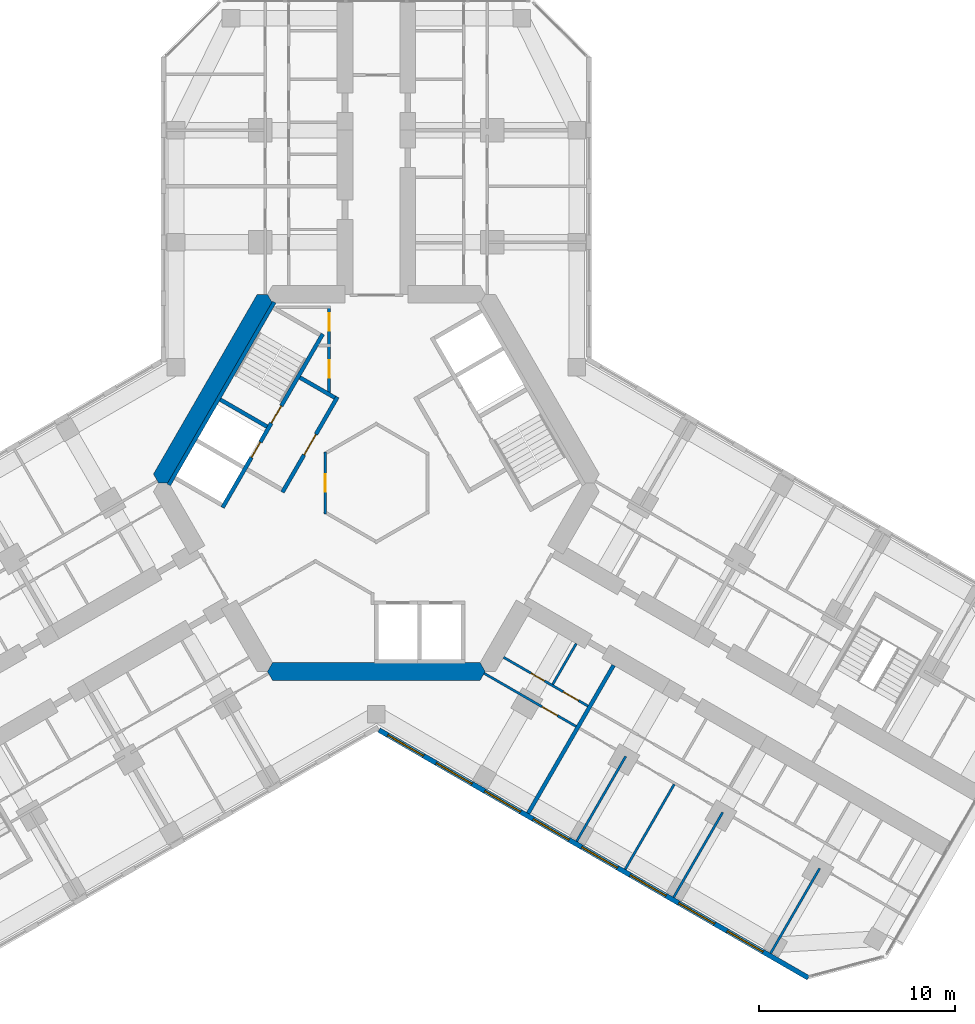
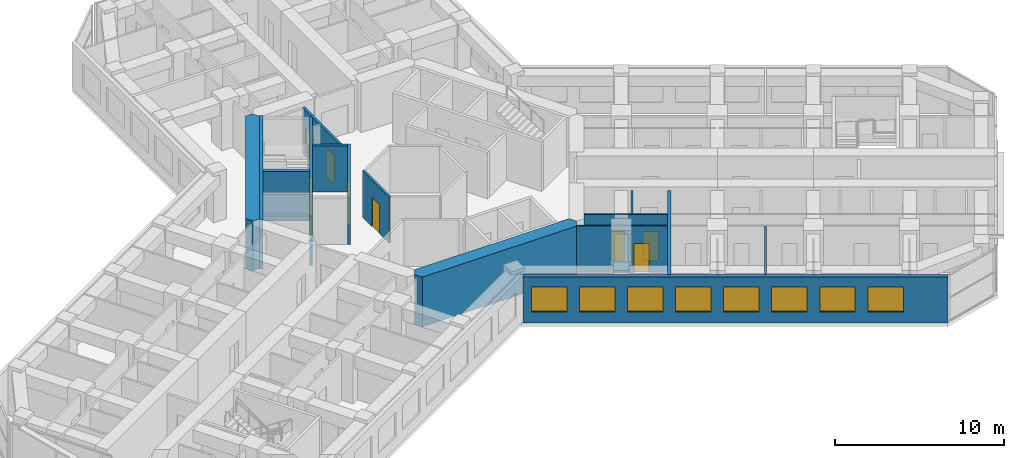
# One storey, part 13 of 19: 18 walls, 9 doors, 8 windows, 17 openings.
"""IFC4 building model written with IfcOpenShell, lengths in metres."""

from ifc_helpers import new_model, si_unit, direction, frame, frame_2d, origin, place, context, subcontext, project, spatial, polyline, rectangle, outline, extrude, material, layer, layer_set, type_object, element, fill, save


model = new_model("IFC4")

# Units and contexts
model_context = context("Model", 3, precision=1e-05, world=origin(), true_north=direction((0.0, 1.0)))
body_context = subcontext(model_context, "Body", "Model", "MODEL_VIEW")
ifc_project = project(units=[si_unit("LENGTHUNIT", "METRE"), si_unit("AREAUNIT", "SQUARE_METRE"), si_unit("VOLUMEUNIT", "CUBIC_METRE"), si_unit("PLANEANGLEUNIT", "RADIAN"), si_unit("MASSUNIT", "GRAM", prefix="KILO")], contexts=[model_context])

# Site, building, storey
site_placement = place(None, origin())
site = spatial("IfcSite", under=ifc_project, at=site_placement, CompositionType="ELEMENT")
building_placement = place(site_placement, origin())
building = spatial("IfcBuilding", under=site, at=building_placement, Name="Kosmar Iwan School Tower", CompositionType="ELEMENT")
storey_placement = place(building_placement, frame((0.0, 0.0, 165.199951171875)))
storey = spatial("IfcBuildingStorey", under=building, at=storey_placement, Name="L41", CompositionType="ELEMENT", Elevation=165.199951171875)

# Wall, openings, doors
ifc_material_1 = material(Name="Gypsum board on steel studs, fire-rated", Category="steel")
ifc_layer_1 = layer(ifc_material_1, 0.14990234375)
ifc_layer_set_1 = layer_set([ifc_layer_1], Name="Core room partition 150")
wall_type_1 = type_object("IfcWallType", Name="Core room partition 150", PredefinedType="PARTITIONING", material=ifc_layer_set_1)
wall_1_placement = place(storey_placement, frame((-2.39990234375, 9.014892578125, 0.0), z_axis=(0.0, 0.0, 1.0), x_axis=(0.0, -1.0, 0.0)))
wall_1 = element("IfcWall", 1, at=wall_1_placement, inside=storey, type_object=wall_type_1, Name="Core room partition L41-CW1", PredefinedType="PARTITIONING", context=body_context, shape_type="SweptSolid", body=[
    extrude(rectangle(XDim=4.484130859375, YDim=0.14990234375, at=frame_2d((2.2421875, 0.0))), origin(), (0.0, 0.0, 1.0), 3.35009765625),
])
opening_1_placement = place(wall_1_placement, frame((0.375, 0.0, 0.0)))
opening_1 = element("IfcOpeningElement", 2, at=opening_1_placement, cuts=wall_1, Name="Opening D14", PredefinedType="OPENING", context=body_context, shape_type="SweptSolid", body=[
    extrude(rectangle(XDim=0.89990234375, YDim=2.10009765625, at=frame_2d((0.449951171875, 1.050048828125))), frame((0.0, 0.0869140625, 0.0), z_axis=(0.0, -1.0, 0.0), x_axis=(1.0, 0.0, 0.0)), (0.0, 0.0, 1.0), 0.173828125),
])
opening_2_placement = place(wall_1_placement, frame((2.77490234375, 0.0, 0.0)))
opening_2 = element("IfcOpeningElement", 3, at=opening_2_placement, cuts=wall_1, Name="Opening D14", PredefinedType="OPENING", context=body_context, shape_type="SweptSolid", body=[
    extrude(rectangle(XDim=0.89990234375, YDim=2.10009765625, at=frame_2d((0.449951171875, 1.050048828125))), frame((0.0, 0.0869140625, 0.0), z_axis=(0.0, -1.0, 0.0), x_axis=(1.0, 0.0, 0.0)), (0.0, 0.0, 1.0), 0.173828125),
])
ifc_material_2 = material(Name="Timber fire door in steel frame", Category="steel")
door_type_1 = type_object("IfcDoorType", Name="Core room door 900x2100", OperationType="SINGLE_SWING_LEFT", PredefinedType="DOOR", material=ifc_material_2)
door_1_placement = place(opening_1_placement, origin())
door_1 = element("IfcDoor", 4, at=door_1_placement, inside=storey, type_object=door_type_1, Name="Electrical riser and switch room door L41 1", OperationType="SINGLE_SWING_LEFT", OverallHeight=2.10009765625, OverallWidth=0.89990234375, PredefinedType="DOOR", context=body_context, shape_type="SweptSolid", body=[
    extrude(rectangle(XDim=0.89990234375, YDim=2.10009765625, at=frame_2d((0.449951171875, 1.050048828125))), frame((0.0, 0.02490234375, 0.0), z_axis=(0.0, -1.0, 0.0), x_axis=(1.0, 0.0, 0.0)), (0.0, 0.0, 1.0), 0.050048828125),
])
fill(opening_1, door_1)
door_2_placement = place(opening_2_placement, origin())
door_2 = element("IfcDoor", 5, at=door_2_placement, inside=storey, type_object=door_type_1, Name="Plumbing and wet riser door L41 2", OperationType="SINGLE_SWING_RIGHT", OverallHeight=2.10009765625, OverallWidth=0.89990234375, PredefinedType="DOOR", context=body_context, shape_type="SweptSolid", body=[
    extrude(rectangle(XDim=0.89990234375, YDim=2.10009765625, at=frame_2d((0.449951171875, 1.050048828125))), frame((0.0, 0.02490234375, 0.0), z_axis=(0.0, -1.0, 0.0), x_axis=(1.0, 0.0, 0.0)), (0.0, 0.0, 1.0), 0.050048828125),
])
fill(opening_2, door_2)

# Wall, opening, door
wall_2_placement = place(storey_placement, frame((-2.60009765625, -1.576171875, 0.0), z_axis=(0.0, 0.0, 1.0), x_axis=(0.0, 1.0, 0.0)))
wall_2 = element("IfcWall", 6, at=wall_2_placement, inside=storey, type_object=wall_type_1, Name="Core room partition L41-CW10", PredefinedType="PARTITIONING", context=body_context, shape_type="SweptSolid", body=[
    extrude(rectangle(XDim=3.15234375, YDim=0.14990234375, at=frame_2d((1.576171875, 0.0))), origin(), (0.0, 0.0, 1.0), 3.35009765625),
])
opening_3_placement = place(wall_2_placement, frame((1.1259765625, 0.0, 0.0)))
opening_3 = element("IfcOpeningElement", 7, at=opening_3_placement, cuts=wall_2, Name="Opening D14", PredefinedType="OPENING", context=body_context, shape_type="SweptSolid", body=[
    extrude(rectangle(XDim=0.89990234375, YDim=2.10009765625, at=frame_2d((0.449951171875, 1.050048828125))), frame((0.0, 0.0869140625, 0.0), z_axis=(0.0, -1.0, 0.0), x_axis=(1.0, 0.0, 0.0)), (0.0, 0.0, 1.0), 0.173828125),
])
door_3_placement = place(opening_3_placement, origin())
door_3 = element("IfcDoor", 8, at=door_3_placement, inside=storey, type_object=door_type_1, Name="Pram and buggy store door L41 4", OperationType="SINGLE_SWING_RIGHT", OverallHeight=2.10009765625, OverallWidth=0.89990234375, PredefinedType="DOOR", context=body_context, shape_type="SweptSolid", body=[
    extrude(rectangle(XDim=0.89990234375, YDim=2.10009765625, at=frame_2d((0.449951171875, 1.050048828125))), frame((0.0, 0.02490234375, 0.0), z_axis=(0.0, -1.0, 0.0), x_axis=(1.0, 0.0, 0.0)), (0.0, 0.0, 1.0), 0.050048828125),
])
fill(opening_3, door_3)

# Walls
ifc_material_3 = material(Name="Concrete C50/60", Category="concrete")
ifc_layer_2 = layer(ifc_material_3, 0.89990234375)
ifc_layer_set_2 = layer_set([ifc_layer_2], Name="Core wall 900")
wall_type_2 = type_object("IfcWallType", Name="Core wall 900", PredefinedType="SHEAR", material=ifc_layer_set_2)
wall_3_placement = place(storey_placement, origin())
element("IfcWall", 9, at=wall_3_placement, inside=storey, type_object=wall_type_2, Name="Core wall F150", PredefinedType="SHEAR", context=body_context, shape_type="SweptSolid", body=[
    extrude(outline(polyline([(-11.085205078125, 0.0), (-10.5654296875, 0.0), (-5.28271484375, 9.14990234375), (-5.54248046875, 9.60009765625), (-6.062255859375, 9.60009765625), (-11.344970703125, 0.449951171875), (-11.085205078125, 0.0)])), origin(), (0.0, 0.0, 1.0), 3.60009765625),
])
wall_4_placement = place(storey_placement, origin())
element("IfcWall", 10, at=wall_4_placement, inside=storey, type_object=wall_type_2, Name="Core wall F270", PredefinedType="SHEAR", context=body_context, shape_type="SweptSolid", body=[
    extrude(outline(polyline([(-5.28271484375, -10.050048828125), (5.28271484375, -10.050048828125), (5.54248046875, -9.60009765625), (5.28271484375, -9.14990234375), (-5.28271484375, -9.14990234375), (-5.54248046875, -9.60009765625), (-5.28271484375, -10.050048828125)])), origin(), (0.0, 0.0, 1.0), 3.60009765625),
])

# Wall, openings, doors
ifc_material_4 = material(Name="Gypsum board on steel studs", Category="steel")
ifc_layer_3 = layer(ifc_material_4, 0.1201171875)
ifc_layer_set_3 = layer_set([ifc_layer_3], Name="Dwelling partition 120")
wall_type_3 = type_object("IfcWallType", Name="Dwelling partition 120", PredefinedType="PARTITIONING", material=ifc_layer_set_3)
wall_5_placement = place(storey_placement, frame((6.478515625, -8.87890625, 0.0), z_axis=(0.0, 0.0, 1.0), x_axis=(0.866040211805, -0.499974350878, 0.0)))
wall_5 = element("IfcWall", 11, at=wall_5_placement, inside=storey, type_object=wall_type_3, Name="Partition L41-CR1-W1", PredefinedType="PARTITIONING", context=body_context, shape_type="SweptSolid", body=[
    extrude(rectangle(XDim=4.949951171875, YDim=0.1201171875, at=frame_2d((2.47509765625, 0.0))), origin(), (0.0, 0.0, 1.0), 3.35009765625),
])
opening_4_placement = place(wall_5_placement, frame((1.60009765625, 0.0, 0.0)))
opening_4 = element("IfcOpeningElement", 12, at=opening_4_placement, cuts=wall_5, Name="Opening D3", PredefinedType="OPENING", context=body_context, shape_type="SweptSolid", body=[
    extrude(rectangle(XDim=0.800048828125, YDim=2.10009765625, at=frame_2d((0.39990234375, 1.050048828125))), frame((0.0, 0.072021484375, 0.0), z_axis=(0.0, -1.0, 0.0), x_axis=(1.0, 0.0, 0.0)), (0.0, 0.0, 1.0), 0.14404296875),
])
opening_5_placement = place(wall_5_placement, frame((3.5, 0.0, 0.0)))
opening_5 = element("IfcOpeningElement", 13, at=opening_5_placement, cuts=wall_5, Name="Opening D2", PredefinedType="OPENING", context=body_context, shape_type="SweptSolid", body=[
    extrude(rectangle(XDim=0.89990234375, YDim=2.10009765625, at=frame_2d((0.449951171875, 1.050048828125))), frame((0.0, 0.072021484375, 0.0), z_axis=(0.0, -1.0, 0.0), x_axis=(1.0, 0.0, 0.0)), (0.0, 0.0, 1.0), 0.14404296875),
])
ifc_material_5 = material(Name="Timber door in timber frame", Category="wood")
door_type_2 = type_object("IfcDoorType", Name="Internal door 900x2100", OperationType="SINGLE_SWING_LEFT", PredefinedType="DOOR", material=ifc_material_5)
door_4_placement = place(opening_5_placement, origin())
door_4 = element("IfcDoor", 14, at=door_4_placement, inside=storey, type_object=door_type_2, Name="Entrance hall door L41-CR1-S2", OperationType="SINGLE_SWING_RIGHT", OverallHeight=2.10009765625, OverallWidth=0.89990234375, PredefinedType="DOOR", context=body_context, shape_type="SweptSolid", body=[
    extrude(rectangle(XDim=0.89990234375, YDim=2.10009765625, at=frame_2d((0.449951171875, 1.050048828125))), frame((0.0, 0.02490234375, 0.0), z_axis=(0.0, -1.0, 0.0), x_axis=(1.0, 0.0, 0.0)), (0.0, 0.0, 1.0), 0.050048828125),
])
fill(opening_5, door_4)
ifc_material_6 = material(Name="Timber door in timber frame", Category="wood")
door_type_3 = type_object("IfcDoorType", Name="Sanitary room door 800x2100", OperationType="SINGLE_SWING_LEFT", PredefinedType="DOOR", material=ifc_material_6)
door_5_placement = place(opening_4_placement, origin())
door_5 = element("IfcDoor", 15, at=door_5_placement, inside=storey, type_object=door_type_3, Name="Bathroom door L41-CR1-S1", OperationType="SINGLE_SWING_RIGHT", OverallHeight=2.10009765625, OverallWidth=0.800048828125, PredefinedType="DOOR", context=body_context, shape_type="SweptSolid", body=[
    extrude(rectangle(XDim=0.800048828125, YDim=2.10009765625, at=frame_2d((0.39990234375, 1.050048828125))), frame((0.0, 0.02490234375, 0.0), z_axis=(0.0, -1.0, 0.0), x_axis=(1.0, 0.0, 0.0)), (0.0, 0.0, 1.0), 0.050048828125),
])
fill(opening_4, door_5)

# Wall, opening, door
wall_6_placement = place(storey_placement, frame((5.48876953125, -9.693115234375, 0.0), z_axis=(0.0, 0.0, 1.0), x_axis=(0.866028230842, -0.499995103361, 0.0)))
wall_6 = element("IfcWall", 16, at=wall_6_placement, inside=storey, type_object=wall_type_3, Name="Partition L41-CR1-W2", PredefinedType="PARTITIONING", context=body_context, shape_type="SweptSolid", body=[
    extrude(rectangle(XDim=5.39990234375, YDim=0.1201171875, at=frame_2d((2.699951171875, 0.0))), origin(), (0.0, 0.0, 1.0), 3.35009765625),
])
opening_6_placement = place(wall_6_placement, frame((3.39990234375, 0.0, 0.0)))
opening_6 = element("IfcOpeningElement", 17, at=opening_6_placement, cuts=wall_6, Name="Opening D2", PredefinedType="OPENING", context=body_context, shape_type="SweptSolid", body=[
    extrude(rectangle(XDim=0.89990234375, YDim=2.10009765625, at=frame_2d((0.449951171875, 1.050048828125))), frame((0.0, 0.072021484375, 0.0), z_axis=(0.0, -1.0, 0.0), x_axis=(1.0, 0.0, 0.0)), (0.0, 0.0, 1.0), 0.14404296875),
])
door_6_placement = place(opening_6_placement, origin())
door_6 = element("IfcDoor", 18, at=door_6_placement, inside=storey, type_object=door_type_2, Name="Studio living room and kitchen door L41-CR1-F1", OperationType="SINGLE_SWING_RIGHT", OverallHeight=2.10009765625, OverallWidth=0.89990234375, PredefinedType="DOOR", context=body_context, shape_type="SweptSolid", body=[
    extrude(rectangle(XDim=0.89990234375, YDim=2.10009765625, at=frame_2d((0.449951171875, 1.050048828125))), frame((0.0, 0.02490234375, 0.0), z_axis=(0.0, -1.0, 0.0), x_axis=(1.0, 0.0, 0.0)), (0.0, 0.0, 1.0), 0.050048828125),
])
fill(opening_6, door_6)

# Walls
wall_7_placement = place(storey_placement, frame((10.171630859375, -8.18212890625, 0.0), z_axis=(0.0, 0.0, 1.0), x_axis=(-0.499940577336, -0.866059708757, 0.0)))
element("IfcWall", 19, at=wall_7_placement, inside=storey, type_object=wall_type_3, Name="Partition L41-CR1-Y1", PredefinedType="PARTITIONING", context=body_context, shape_type="SweptSolid", body=[
    extrude(rectangle(XDim=2.389892578125, YDim=0.1201171875, at=frame_2d((1.19482421875, 0.0))), origin(), (0.0, 0.0, 1.0), 3.35009765625),
])
wall_8_placement = place(storey_placement, frame((12.690185546875, -13.919921875, 0.0), z_axis=(0.0, 0.0, 1.0), x_axis=(-0.500011847778, -0.866018563358, 0.0)))
element("IfcWall", 20, at=wall_8_placement, inside=storey, type_object=wall_type_3, Name="Partition L41-CR2-X1", PredefinedType="PARTITIONING", context=body_context, shape_type="SweptSolid", body=[
    extrude(rectangle(XDim=4.990234375, YDim=0.1201171875, at=frame_2d((2.4951171875, 0.0))), origin(), (0.0, 0.0, 1.0), 2.449951171875),
])
wall_9_placement = place(storey_placement, frame((15.158447265625, -15.344970703125, 0.0), z_axis=(0.0, 0.0, 1.0), x_axis=(-0.500011847778, -0.866018563358, 0.0)))
element("IfcWall", 21, at=wall_9_placement, inside=storey, type_object=wall_type_3, Name="Partition L41-CR2-X2", PredefinedType="PARTITIONING", context=body_context, shape_type="SweptSolid", body=[
    extrude(rectangle(XDim=4.990234375, YDim=0.1201171875, at=frame_2d((2.4951171875, 0.0))), origin(), (0.0, 0.0, 1.0), 3.35009765625),
])
wall_10_placement = place(storey_placement, frame((17.62646484375, -16.77001953125, 0.0), z_axis=(0.0, 0.0, 1.0), x_axis=(-0.499975153383, -0.86603974851, 0.0)))
element("IfcWall", 22, at=wall_10_placement, inside=storey, type_object=wall_type_3, Name="Partition L41-CR2-X3", PredefinedType="PARTITIONING", context=body_context, shape_type="SweptSolid", body=[
    extrude(rectangle(XDim=4.989990234375, YDim=0.1201171875, at=frame_2d((2.4951171875, 0.0))), origin(), (0.0, 0.0, 1.0), 2.449951171875),
])
wall_11_placement = place(storey_placement, frame((22.562744140625, -19.6201171875, 0.0), z_axis=(0.0, 0.0, 1.0), x_axis=(-0.499996339024, -0.86602751744, 0.0)))
element("IfcWall", 23, at=wall_11_placement, inside=storey, type_object=wall_type_3, Name="Partition L41-CR2-X4", PredefinedType="PARTITIONING", context=body_context, shape_type="SweptSolid", body=[
    extrude(rectangle(XDim=4.98974609375, YDim=0.1201171875, at=frame_2d((2.494873046875, 0.0))), origin(), (0.0, 0.0, 1.0), 2.449951171875),
])

# Wall, openings, windows
ifc_material_7 = material(Name="Black aluminium rainscreen on insulated framing", Category="aluminium")
ifc_layer_4 = layer(ifc_material_7, 0.25)
ifc_layer_set_4 = layer_set([ifc_layer_4], Name="External wall rainscreen 250")
wall_type_4 = type_object("IfcWallType", Name="External wall rainscreen 250", PredefinedType="SOLIDWALL", material=ifc_layer_set_4)
wall_12_placement = place(storey_placement, frame((0.137939453125, -12.5791015625, 0.0), z_axis=(0.0, 0.0, 1.0), x_axis=(0.866023775649, -0.500002820003, 0.0)))
wall_12 = element("IfcWall", 24, at=wall_12_placement, inside=storey, type_object=wall_type_4, Name="External wall CR L41", PredefinedType="SOLIDWALL", context=body_context, shape_type="SweptSolid", body=[
    extrude(rectangle(XDim=25.226318359375, YDim=0.25, at=frame_2d((12.61328125, 0.0))), origin(), (0.0, 0.0, 1.0), 3.35009765625),
])
opening_7_placement = place(wall_12_placement, frame((0.51611328125, 0.0, 0.800048828125)))
opening_7 = element("IfcOpeningElement", 25, at=opening_7_placement, cuts=wall_12, Name="Opening W4", PredefinedType="OPENING", context=body_context, shape_type="SweptSolid", body=[
    extrude(rectangle(XDim=2.10009765625, YDim=1.800048828125, at=frame_2d((1.050048828125, 0.89990234375))), frame((0.0, 0.136962890625, 0.0), z_axis=(0.0, -1.0, 0.0), x_axis=(1.0, 0.0, 0.0)), (0.0, 0.0, 1.0), 0.27392578125),
])
opening_8_placement = place(wall_12_placement, frame((3.365966796875, 0.0, 0.800048828125)))
opening_8 = element("IfcOpeningElement", 26, at=opening_8_placement, cuts=wall_12, Name="Opening W4", PredefinedType="OPENING", context=body_context, shape_type="SweptSolid", body=[
    extrude(rectangle(XDim=2.10009765625, YDim=1.800048828125, at=frame_2d((1.050048828125, 0.89990234375))), frame((0.0, 0.136962890625, 0.0), z_axis=(0.0, -1.0, 0.0), x_axis=(1.0, 0.0, 0.0)), (0.0, 0.0, 1.0), 0.27392578125),
])
opening_9_placement = place(wall_12_placement, frame((6.216064453125, 0.0, 0.800048828125)))
opening_9 = element("IfcOpeningElement", 27, at=opening_9_placement, cuts=wall_12, Name="Opening W4", PredefinedType="OPENING", context=body_context, shape_type="SweptSolid", body=[
    extrude(rectangle(XDim=2.10009765625, YDim=1.800048828125, at=frame_2d((1.050048828125, 0.89990234375))), frame((0.0, 0.136962890625, 0.0), z_axis=(0.0, -1.0, 0.0), x_axis=(1.0, 0.0, 0.0)), (0.0, 0.0, 1.0), 0.27392578125),
])
opening_10_placement = place(wall_12_placement, frame((9.06591796875, 0.0, 0.800048828125)))
opening_10 = element("IfcOpeningElement", 28, at=opening_10_placement, cuts=wall_12, Name="Opening W4", PredefinedType="OPENING", context=body_context, shape_type="SweptSolid", body=[
    extrude(rectangle(XDim=2.10009765625, YDim=1.800048828125, at=frame_2d((1.050048828125, 0.89990234375))), frame((0.0, 0.136962890625, 0.0), z_axis=(0.0, -1.0, 0.0), x_axis=(1.0, 0.0, 0.0)), (0.0, 0.0, 1.0), 0.27392578125),
])
opening_11_placement = place(wall_12_placement, frame((11.916015625, 0.0, 0.800048828125)))
opening_11 = element("IfcOpeningElement", 29, at=opening_11_placement, cuts=wall_12, Name="Opening W4", PredefinedType="OPENING", context=body_context, shape_type="SweptSolid", body=[
    extrude(rectangle(XDim=2.10009765625, YDim=1.800048828125, at=frame_2d((1.050048828125, 0.89990234375))), frame((0.0, 0.136962890625, 0.0), z_axis=(0.0, -1.0, 0.0), x_axis=(1.0, 0.0, 0.0)), (0.0, 0.0, 1.0), 0.27392578125),
])
opening_12_placement = place(wall_12_placement, frame((14.76611328125, 0.0, 0.800048828125)))
opening_12 = element("IfcOpeningElement", 30, at=opening_12_placement, cuts=wall_12, Name="Opening W4", PredefinedType="OPENING", context=body_context, shape_type="SweptSolid", body=[
    extrude(rectangle(XDim=2.10009765625, YDim=1.800048828125, at=frame_2d((1.050048828125, 0.89990234375))), frame((0.0, 0.136962890625, 0.0), z_axis=(0.0, -1.0, 0.0), x_axis=(1.0, 0.0, 0.0)), (0.0, 0.0, 1.0), 0.27392578125),
])
opening_13_placement = place(wall_12_placement, frame((17.615966796875, 0.0, 0.800048828125)))
opening_13 = element("IfcOpeningElement", 31, at=opening_13_placement, cuts=wall_12, Name="Opening W4", PredefinedType="OPENING", context=body_context, shape_type="SweptSolid", body=[
    extrude(rectangle(XDim=2.10009765625, YDim=1.800048828125, at=frame_2d((1.050048828125, 0.89990234375))), frame((0.0, 0.136962890625, 0.0), z_axis=(0.0, -1.0, 0.0), x_axis=(1.0, 0.0, 0.0)), (0.0, 0.0, 1.0), 0.27392578125),
])
opening_14_placement = place(wall_12_placement, frame((20.466064453125, 0.0, 0.800048828125)))
opening_14 = element("IfcOpeningElement", 32, at=opening_14_placement, cuts=wall_12, Name="Opening W4", PredefinedType="OPENING", context=body_context, shape_type="SweptSolid", body=[
    extrude(rectangle(XDim=2.10009765625, YDim=1.800048828125, at=frame_2d((1.050048828125, 0.89990234375))), frame((0.0, 0.136962890625, 0.0), z_axis=(0.0, -1.0, 0.0), x_axis=(1.0, 0.0, 0.0)), (0.0, 0.0, 1.0), 0.27392578125),
])
ifc_material_8 = material(Name="Black aluminium frame with dark triple glazing", Category="aluminium")
window_type = type_object("IfcWindowType", Name="Window 2100x1800", PartitioningType="SINGLE_PANEL", PredefinedType="WINDOW", material=ifc_material_8)
window_1_placement = place(opening_7_placement, origin())
window_1 = element("IfcWindow", 33, at=window_1_placement, inside=storey, type_object=window_type, Name="Window CR L41 -1", OverallHeight=1.800048828125, OverallWidth=2.10009765625, PartitioningType="SINGLE_PANEL", PredefinedType="WINDOW", context=body_context, shape_type="SweptSolid", body=[
    extrude(rectangle(XDim=2.10009765625, YDim=1.800048828125, at=frame_2d((1.050048828125, 0.89990234375))), frame((0.0, 0.030029296875, 0.0), z_axis=(0.0, -1.0, 0.0), x_axis=(1.0, 0.0, 0.0)), (0.0, 0.0, 1.0), 0.06005859375),
])
fill(opening_7, window_1)
window_2_placement = place(opening_8_placement, origin())
window_2 = element("IfcWindow", 34, at=window_2_placement, inside=storey, type_object=window_type, Name="Window CR L41 0", OverallHeight=1.800048828125, OverallWidth=2.10009765625, PartitioningType="SINGLE_PANEL", PredefinedType="WINDOW", context=body_context, shape_type="SweptSolid", body=[
    extrude(rectangle(XDim=2.10009765625, YDim=1.800048828125, at=frame_2d((1.050048828125, 0.89990234375))), frame((0.0, 0.030029296875, 0.0), z_axis=(0.0, -1.0, 0.0), x_axis=(1.0, 0.0, 0.0)), (0.0, 0.0, 1.0), 0.06005859375),
])
fill(opening_8, window_2)
window_3_placement = place(opening_9_placement, origin())
window_3 = element("IfcWindow", 35, at=window_3_placement, inside=storey, type_object=window_type, Name="Window CR L41 1", OverallHeight=1.800048828125, OverallWidth=2.10009765625, PartitioningType="SINGLE_PANEL", PredefinedType="WINDOW", context=body_context, shape_type="SweptSolid", body=[
    extrude(rectangle(XDim=2.10009765625, YDim=1.800048828125, at=frame_2d((1.050048828125, 0.89990234375))), frame((0.0, 0.030029296875, 0.0), z_axis=(0.0, -1.0, 0.0), x_axis=(1.0, 0.0, 0.0)), (0.0, 0.0, 1.0), 0.06005859375),
])
fill(opening_9, window_3)
window_4_placement = place(opening_10_placement, origin())
window_4 = element("IfcWindow", 36, at=window_4_placement, inside=storey, type_object=window_type, Name="Window CR L41 2", OverallHeight=1.800048828125, OverallWidth=2.10009765625, PartitioningType="SINGLE_PANEL", PredefinedType="WINDOW", context=body_context, shape_type="SweptSolid", body=[
    extrude(rectangle(XDim=2.10009765625, YDim=1.800048828125, at=frame_2d((1.050048828125, 0.89990234375))), frame((0.0, 0.030029296875, 0.0), z_axis=(0.0, -1.0, 0.0), x_axis=(1.0, 0.0, 0.0)), (0.0, 0.0, 1.0), 0.06005859375),
])
fill(opening_10, window_4)
window_5_placement = place(opening_11_placement, origin())
window_5 = element("IfcWindow", 37, at=window_5_placement, inside=storey, type_object=window_type, Name="Window CR L41 3", OverallHeight=1.800048828125, OverallWidth=2.10009765625, PartitioningType="SINGLE_PANEL", PredefinedType="WINDOW", context=body_context, shape_type="SweptSolid", body=[
    extrude(rectangle(XDim=2.10009765625, YDim=1.800048828125, at=frame_2d((1.050048828125, 0.89990234375))), frame((0.0, 0.030029296875, 0.0), z_axis=(0.0, -1.0, 0.0), x_axis=(1.0, 0.0, 0.0)), (0.0, 0.0, 1.0), 0.06005859375),
])
fill(opening_11, window_5)
window_6_placement = place(opening_12_placement, origin())
window_6 = element("IfcWindow", 38, at=window_6_placement, inside=storey, type_object=window_type, Name="Window CR L41 4", OverallHeight=1.800048828125, OverallWidth=2.10009765625, PartitioningType="SINGLE_PANEL", PredefinedType="WINDOW", context=body_context, shape_type="SweptSolid", body=[
    extrude(rectangle(XDim=2.10009765625, YDim=1.800048828125, at=frame_2d((1.050048828125, 0.89990234375))), frame((0.0, 0.030029296875, 0.0), z_axis=(0.0, -1.0, 0.0), x_axis=(1.0, 0.0, 0.0)), (0.0, 0.0, 1.0), 0.06005859375),
])
fill(opening_12, window_6)
window_7_placement = place(opening_13_placement, origin())
window_7 = element("IfcWindow", 39, at=window_7_placement, inside=storey, type_object=window_type, Name="Window CR L41 5", OverallHeight=1.800048828125, OverallWidth=2.10009765625, PartitioningType="SINGLE_PANEL", PredefinedType="WINDOW", context=body_context, shape_type="SweptSolid", body=[
    extrude(rectangle(XDim=2.10009765625, YDim=1.800048828125, at=frame_2d((1.050048828125, 0.89990234375))), frame((0.0, 0.030029296875, 0.0), z_axis=(0.0, -1.0, 0.0), x_axis=(1.0, 0.0, 0.0)), (0.0, 0.0, 1.0), 0.06005859375),
])
fill(opening_13, window_7)
window_8_placement = place(opening_14_placement, origin())
window_8 = element("IfcWindow", 40, at=window_8_placement, inside=storey, type_object=window_type, Name="Window CR L41 6", OverallHeight=1.800048828125, OverallWidth=2.10009765625, PartitioningType="SINGLE_PANEL", PredefinedType="WINDOW", context=body_context, shape_type="SweptSolid", body=[
    extrude(rectangle(XDim=2.10009765625, YDim=1.800048828125, at=frame_2d((1.050048828125, 0.89990234375))), frame((0.0, 0.030029296875, 0.0), z_axis=(0.0, -1.0, 0.0), x_axis=(1.0, 0.0, 0.0)), (0.0, 0.0, 1.0), 0.06005859375),
])
fill(opening_14, window_8)

# Wall, opening, door
ifc_material_9 = material(Name="Concrete block masonry", Category="masonry")
ifc_layer_5 = layer(ifc_material_9, 0.199951171875)
ifc_layer_set_5 = layer_set([ifc_layer_5], Name="Fire lobby wall 200")
wall_type_5 = type_object("IfcWallType", Name="Fire lobby wall 200", PredefinedType="PARTITIONING", material=ifc_layer_set_5)
wall_13_placement = place(storey_placement, frame((-1.9775390625, 4.374755859375, 0.0), z_axis=(0.0, 0.0, 1.0), x_axis=(-0.500016814911, -0.866015695474, 0.0)))
wall_13 = element("IfcWall", 41, at=wall_13_placement, inside=storey, type_object=wall_type_5, Name="Firefighting lobby wall ST2", PredefinedType="PARTITIONING", context=body_context, shape_type="SweptSolid", body=[
    extrude(rectangle(XDim=5.599853515625, YDim=0.199951171875, at=frame_2d((2.7998046875, 0.0))), origin(), (0.0, 0.0, 1.0), 3.35009765625),
])
opening_15_placement = place(wall_13_placement, frame((2.199951171875, 0.0, 0.0)))
opening_15 = element("IfcOpeningElement", 42, at=opening_15_placement, cuts=wall_13, Name="Opening D7", PredefinedType="OPENING", context=body_context, shape_type="SweptSolid", body=[
    extrude(rectangle(XDim=1.199951171875, YDim=2.10009765625, at=frame_2d((0.60009765625, 1.050048828125))), frame((0.0, 0.112060546875, 0.0), z_axis=(0.0, -1.0, 0.0), x_axis=(1.0, 0.0, 0.0)), (0.0, 0.0, 1.0), 0.223876953125),
])
ifc_material_10 = material(Name="Steel fire door", Category="steel")
door_type_4 = type_object("IfcDoorType", Name="Fire lobby door 1200x2100", OperationType="SINGLE_SWING_LEFT", PredefinedType="DOOR", material=ifc_material_10)
door_7_placement = place(opening_15_placement, frame((1.199951171875, 0.0, 0.0), z_axis=(0.0, 0.0, 1.0), x_axis=(-1.0, 0.0, 0.0)))
door_7 = element("IfcDoor", 43, at=door_7_placement, inside=storey, type_object=door_type_4, Name="Firefighting lobby door ST2 L41", OperationType="SINGLE_SWING_RIGHT", OverallHeight=2.10009765625, OverallWidth=1.199951171875, PredefinedType="DOOR", context=body_context, shape_type="SweptSolid", body=[
    extrude(rectangle(XDim=1.199951171875, YDim=2.10009765625, at=frame_2d((0.60009765625, 1.050048828125))), frame((0.0, 0.02490234375, 0.0), z_axis=(0.0, -1.0, 0.0), x_axis=(1.0, 0.0, 0.0)), (0.0, 0.0, 1.0), 0.050048828125),
])
fill(opening_15, door_7)

# Wall
wall_14_placement = place(storey_placement, frame((-2.114013671875, 4.33837890625, 0.0), z_axis=(0.0, 0.0, 1.0), x_axis=(-0.866050731258, 0.499956128963, 0.0)))
element("IfcWall", 44, at=wall_14_placement, inside=storey, type_object=wall_type_5, Name="Firefighting lobby wall ST2", PredefinedType="PARTITIONING", context=body_context, shape_type="SweptSolid", body=[
    extrude(rectangle(XDim=2.050048828125, YDim=0.199951171875, at=frame_2d((1.02490234375, 0.0))), origin(), (0.0, 0.0, 1.0), 3.35009765625),
])

# Wall, openings, doors
ifc_material_11 = material(Name="Concrete C50/60", Category="concrete")
ifc_layer_6 = layer(ifc_material_11, 0.199951171875)
ifc_layer_set_6 = layer_set([ifc_layer_6], Name="Lift shaft wall 200")
wall_type_6 = type_object("IfcWallType", Name="Lift shaft wall 200", PredefinedType="SHEAR", material=ifc_layer_set_6)
wall_15_placement = place(storey_placement, frame((-2.72607421875, 7.578369140625, 0.0), z_axis=(0.0, 0.0, 1.0), x_axis=(-0.500005610874, -0.86602216432, 0.0)))
wall_15 = element("IfcWall", 45, at=wall_15_placement, inside=storey, type_object=wall_type_6, Name="Lift and stair front wall AB", PredefinedType="SHEAR", context=body_context, shape_type="SweptSolid", body=[
    extrude(rectangle(XDim=10.2001953125, YDim=0.199951171875, at=frame_2d((5.10009765625, 0.0))), origin(), (0.0, 0.0, 1.0), 3.60009765625),
])
opening_16_placement = place(wall_15_placement, frame((6.35009765625, 0.0, 0.0)))
opening_16 = element("IfcOpeningElement", 46, at=opening_16_placement, cuts=wall_15, Name="Opening LD2", PredefinedType="OPENING", context=body_context, shape_type="SweptSolid", body=[
    extrude(rectangle(XDim=0.89990234375, YDim=2.10009765625, at=frame_2d((0.449951171875, 1.050048828125))), frame((0.0, 0.112060546875, 0.0), z_axis=(0.0, -1.0, 0.0), x_axis=(1.0, 0.0, 0.0)), (0.0, 0.0, 1.0), 0.223876953125),
])
opening_17_placement = place(wall_15_placement, frame((4.22998046875, 0.0, 0.0)))
opening_17 = element("IfcOpeningElement", 47, at=opening_17_placement, cuts=wall_15, Name="Opening D6", PredefinedType="OPENING", context=body_context, shape_type="SweptSolid", body=[
    extrude(rectangle(XDim=1.0, YDim=2.10009765625, at=frame_2d((0.5, 1.050048828125))), frame((0.0, 0.112060546875, 0.0), z_axis=(0.0, -1.0, 0.0), x_axis=(1.0, 0.0, 0.0)), (0.0, 0.0, 1.0), 0.223876953125),
])
ifc_material_12 = material(Name="Stainless steel sliding lift door", Category="steel")
door_type_5 = type_object("IfcDoorType", Name="Firefighting lift landing door 900x2100", OperationType="SLIDING_TO_LEFT", PredefinedType="DOOR", material=ifc_material_12)
door_8_placement = place(opening_16_placement, origin())
door_8 = element("IfcDoor", 48, at=door_8_placement, inside=storey, type_object=door_type_5, Name="Lift FF2 landing door L41", OperationType="SLIDING_TO_LEFT", OverallHeight=2.10009765625, OverallWidth=0.89990234375, PredefinedType="DOOR", context=body_context, shape_type="SweptSolid", body=[
    extrude(rectangle(XDim=0.89990234375, YDim=2.10009765625, at=frame_2d((0.449951171875, 1.050048828125))), frame((0.0, 0.02490234375, 0.0), z_axis=(0.0, -1.0, 0.0), x_axis=(1.0, 0.0, 0.0)), (0.0, 0.0, 1.0), 0.050048828125),
])
fill(opening_16, door_8)
ifc_material_13 = material(Name="Steel fire door", Category="steel")
door_type_6 = type_object("IfcDoorType", Name="Stair door 1000x2100", OperationType="SINGLE_SWING_LEFT", PredefinedType="DOOR", material=ifc_material_13)
door_9_placement = place(opening_17_placement, origin())
door_9 = element("IfcDoor", 49, at=door_9_placement, inside=storey, type_object=door_type_6, Name="Stair ST2 door L41", OperationType="SINGLE_SWING_LEFT", OverallHeight=2.10009765625, OverallWidth=1.0, PredefinedType="DOOR", context=body_context, shape_type="SweptSolid", body=[
    extrude(rectangle(XDim=1.0, YDim=2.10009765625, at=frame_2d((0.5, 1.050048828125))), frame((0.0, 0.02490234375, 0.0), z_axis=(0.0, -1.0, 0.0), x_axis=(1.0, 0.0, 0.0)), (0.0, 0.0, 1.0), 0.050048828125),
])
fill(opening_17, door_9)

# Walls
wall_16_placement = place(storey_placement, frame((-5.196044921875, 9.199951171875, 0.0), z_axis=(0.0, 0.0, 1.0), x_axis=(-0.499999935134, -0.866025441235, 0.0)))
element("IfcWall", 50, at=wall_16_placement, inside=storey, type_object=wall_type_6, Name="Lift and stair back wall AB", PredefinedType="SHEAR", context=body_context, shape_type="SweptSolid", body=[
    extrude(rectangle(XDim=10.73876953125, YDim=0.199951171875, at=frame_2d((5.369384765625, 0.0))), origin(), (0.0, 0.0, 1.0), 3.60009765625),
])
ifc_material_14 = material(Name="Concrete block masonry", Category="masonry")
ifc_layer_7 = layer(ifc_material_14, 0.199951171875)
ifc_layer_set_7 = layer_set([ifc_layer_7], Name="Party wall 200")
wall_type_7 = type_object("IfcWallType", Name="Party wall 200", PredefinedType="PARTITIONING", material=ifc_layer_set_7)
wall_17_placement = place(storey_placement, frame((12.076904296875, -9.281982421875, 0.0), z_axis=(0.0, 0.0, 1.0), x_axis=(-0.499987231761, -0.866032775405, 0.0)))
element("IfcWall", 51, at=wall_17_placement, inside=storey, type_object=wall_type_7, Name="Partition L41-CR2-PW", PredefinedType="PARTITIONING", context=body_context, shape_type="SweptSolid", body=[
    extrude(rectangle(XDim=8.699951171875, YDim=0.199951171875, at=frame_2d((4.35009765625, 0.0))), origin(), (0.0, 0.0, 1.0), 3.35009765625),
])
ifc_material_15 = material(Name="Concrete C50/60", Category="concrete")
ifc_layer_8 = layer(ifc_material_15, 0.199951171875)
ifc_layer_set_8 = layer_set([ifc_layer_8], Name="Stair enclosure wall 200")
wall_type_8 = type_object("IfcWallType", Name="Stair enclosure wall 200", PredefinedType="SHEAR", material=ifc_layer_set_8)
wall_18_placement = place(storey_placement, frame((-5.562744140625, 2.865234375, 0.0), z_axis=(0.0, 0.0, 1.0), x_axis=(-0.866027397988, 0.499996545922, 0.0)))
element("IfcWall", 52, at=wall_18_placement, inside=storey, type_object=wall_type_8, Name="Stair ST2 wall", PredefinedType="SHEAR", context=body_context, shape_type="SweptSolid", body=[
    extrude(rectangle(XDim=2.75, YDim=0.199951171875, at=frame_2d((1.375, 0.0))), origin(), (0.0, 0.0, 1.0), 3.60009765625),
])

save(model, "model.ifc")
